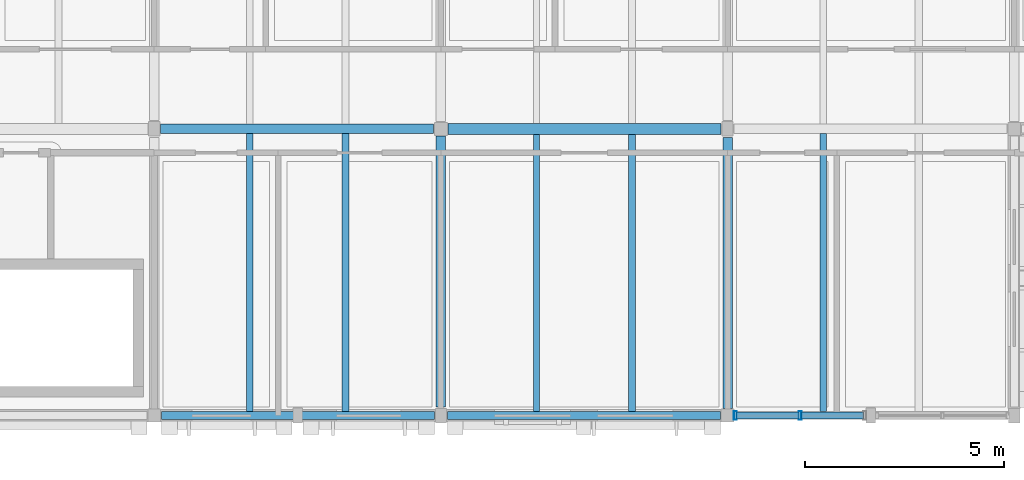
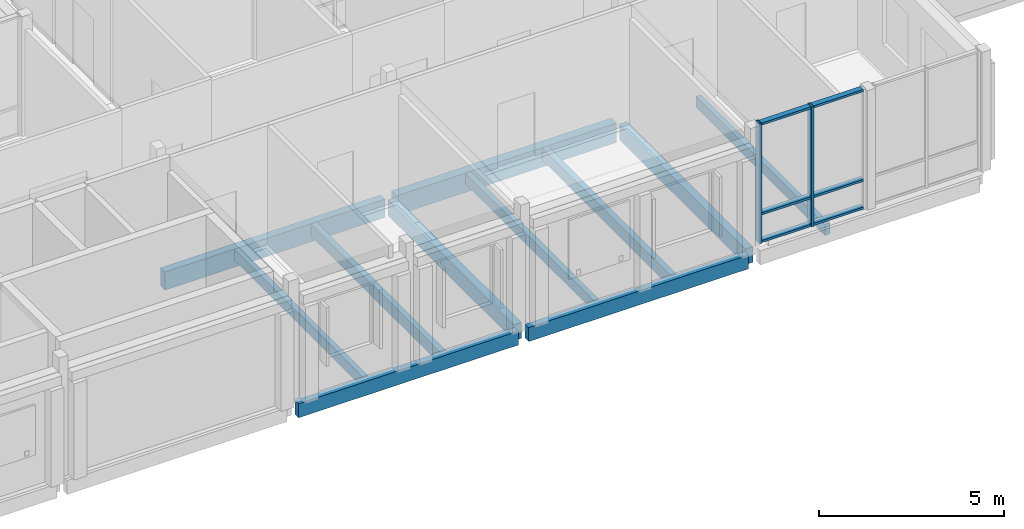
# One storey, part 6 of 115: 11 beams, 8 members, 1 element without a shape of its own.
"""IFC4 building model written with IfcOpenShell, lengths in metres."""

from ifc_helpers import new_model, si_unit, direction, frame, origin, origin_2d, place, context, subcontext, project, spatial, rectangle, hollow_rectangle, extrude, material, material_profile, profile_set, type_object, element, aggregate, save


model = new_model("IFC4")

# Units and contexts
model_context = context("Model", 3, precision=1e-05, world=origin(), true_north=direction((0.0, 1.0)))
body_context = subcontext(model_context, "Body", "Model", "MODEL_VIEW")
ifc_project = project(units=[si_unit("LENGTHUNIT", "METRE"), si_unit("AREAUNIT", "SQUARE_METRE"), si_unit("VOLUMEUNIT", "CUBIC_METRE"), si_unit("PLANEANGLEUNIT", "RADIAN"), si_unit("MASSUNIT", "GRAM", prefix="KILO")], contexts=[model_context])

# Site, building, storey
site_placement = place(None, origin())
site = spatial("IfcSite", under=ifc_project, at=site_placement, CompositionType="ELEMENT")
building_placement = place(site_placement, origin())
building = spatial("IfcBuilding", under=site, at=building_placement, Name="Hawrajan Terrace Health Centre", CompositionType="ELEMENT")
storey_placement = place(building_placement, frame((0.0, 0.0, 9.0)))
storey = spatial("IfcBuildingStorey", under=building, at=storey_placement, Name="L02", CompositionType="ELEMENT", Elevation=9.0)

# Curtain wall, members
ifc_material_1 = material(Name="Anodized bronze aluminium and low-E solar glazing", Category="aluminium")
curtain_wall_type = type_object("IfcCurtainWallType", Name="CW_Court_SeriesA2", PredefinedType="USERDEFINED", material=ifc_material_1)
curtain_wall_placement = place(storey_placement, origin())
curtain_wall = element("IfcCurtainWall", 1, at=curtain_wall_placement, inside=storey, type_object=curtain_wall_type, Name="Curtain wall CW-L02-122", ObjectType="UNITISED CURTAIN WALL", PredefinedType="USERDEFINED")
ifc_material_2 = material(Name="Anodized bronze aluminium 6063-T6", Category="aluminium")
ifc_material_profile_1 = material_profile(ifc_material_2, hollow_rectangle(XDim=0.074951171875, YDim=0.219970703125, WallThickness=0.0048828125, at=origin_2d()), Name="CW MUL 75x220")
ifc_profile_set_1 = profile_set([ifc_material_profile_1], Name="Anodized bronze aluminium 6063-T6")
member_type_1 = type_object("IfcMemberType", Name="CWMullion_75x220", PredefinedType="MULLION", material=ifc_profile_set_1)
member_1_placement = place(storey_placement, frame((33.597412109375, 4.199951171875, -0.0048828125), z_axis=(0.0, 0.0, 1.0), x_axis=(1.0, 0.0, 0.0)))
member_1 = element("IfcMember", 2, at=member_1_placement, type_object=member_type_1, Name="Mullion CW-L02-122-M1", PredefinedType="MULLION", context=body_context, shape_type="SweptSolid", body=[
    extrude(hollow_rectangle(XDim=0.074951171875, YDim=0.219970703125, WallThickness=0.0048828125, at=origin_2d()), origin(), (0.0, 0.0, 1.0), 3.9599609375),
])
member_2_placement = place(storey_placement, frame((35.219970703125, 4.199951171875, -0.0048828125), z_axis=(0.0, 0.0, 1.0), x_axis=(1.0, 0.0, 0.0)))
member_2 = element("IfcMember", 3, at=member_2_placement, type_object=member_type_1, Name="Mullion CW-L02-122-M2", PredefinedType="MULLION", context=body_context, shape_type="SweptSolid", body=[
    extrude(hollow_rectangle(XDim=0.074951171875, YDim=0.219970703125, WallThickness=0.0048828125, at=origin_2d()), origin(), (0.0, 0.0, 1.0), 3.9599609375),
])
ifc_material_profile_2 = material_profile(ifc_material_2, hollow_rectangle(XDim=0.074951171875, YDim=0.169921875, WallThickness=0.00439453125, at=origin_2d()), Name="CW TRN 75x170")
ifc_profile_set_2 = profile_set([ifc_material_profile_2], Name="Anodized bronze aluminium 6063-T6")
member_type_2 = type_object("IfcMemberType", Name="CWTransom_75x170", PredefinedType="USERDEFINED", material=ifc_profile_set_2)
member_3_placement = place(storey_placement, frame((33.62890625, 4.199951171875, 0.03759765625), z_axis=(1.0, 0.0, 0.0), x_axis=(0.0, 0.0, 1.0)))
member_3 = element("IfcMember", 4, at=member_3_placement, type_object=member_type_2, Name="Transom CW-L02-122-T1-1", ObjectType="TRANSOM", PredefinedType="USERDEFINED", context=body_context, shape_type="SweptSolid", body=[
    extrude(hollow_rectangle(XDim=0.074951171875, YDim=0.169921875, WallThickness=0.00439453125, at=origin_2d()), origin(), (0.0, 0.0, 1.0), 1.5595703125),
])
member_4_placement = place(storey_placement, frame((33.62890625, 4.199951171875, 0.949951171875), z_axis=(1.0, 0.0, 0.0), x_axis=(0.0, 0.0, 1.0)))
member_4 = element("IfcMember", 5, at=member_4_placement, type_object=member_type_2, Name="Transom CW-L02-122-T1-2", ObjectType="TRANSOM", PredefinedType="USERDEFINED", context=body_context, shape_type="SweptSolid", body=[
    extrude(hollow_rectangle(XDim=0.074951171875, YDim=0.169921875, WallThickness=0.00439453125, at=origin_2d()), origin(), (0.0, 0.0, 1.0), 1.5595703125),
])
member_5_placement = place(storey_placement, frame((33.62890625, 4.199951171875, 3.91259765625), z_axis=(1.0, 0.0, 0.0), x_axis=(0.0, 0.0, 1.0)))
member_5 = element("IfcMember", 6, at=member_5_placement, type_object=member_type_2, Name="Transom CW-L02-122-T1-3", ObjectType="TRANSOM", PredefinedType="USERDEFINED", context=body_context, shape_type="SweptSolid", body=[
    extrude(hollow_rectangle(XDim=0.074951171875, YDim=0.169921875, WallThickness=0.00439453125, at=origin_2d()), origin(), (0.0, 0.0, 1.0), 1.5595703125),
])
member_6_placement = place(storey_placement, frame((35.25146484375, 4.199951171875, 0.03759765625), z_axis=(1.0, 0.0, 0.0), x_axis=(0.0, 0.0, 1.0)))
member_6 = element("IfcMember", 7, at=member_6_placement, type_object=member_type_2, Name="Transom CW-L02-122-T2-1", ObjectType="TRANSOM", PredefinedType="USERDEFINED", context=body_context, shape_type="SweptSolid", body=[
    extrude(hollow_rectangle(XDim=0.074951171875, YDim=0.169921875, WallThickness=0.00439453125, at=origin_2d()), origin(), (0.0, 0.0, 1.0), 1.5595703125),
])
member_7_placement = place(storey_placement, frame((35.25146484375, 4.199951171875, 0.949951171875), z_axis=(1.0, 0.0, 0.0), x_axis=(0.0, 0.0, 1.0)))
member_7 = element("IfcMember", 8, at=member_7_placement, type_object=member_type_2, Name="Transom CW-L02-122-T2-2", ObjectType="TRANSOM", PredefinedType="USERDEFINED", context=body_context, shape_type="SweptSolid", body=[
    extrude(hollow_rectangle(XDim=0.074951171875, YDim=0.169921875, WallThickness=0.00439453125, at=origin_2d()), origin(), (0.0, 0.0, 1.0), 1.5595703125),
])
member_8_placement = place(storey_placement, frame((35.25146484375, 4.199951171875, 3.91259765625), z_axis=(1.0, 0.0, 0.0), x_axis=(0.0, 0.0, 1.0)))
member_8 = element("IfcMember", 9, at=member_8_placement, type_object=member_type_2, Name="Transom CW-L02-122-T2-3", ObjectType="TRANSOM", PredefinedType="USERDEFINED", context=body_context, shape_type="SweptSolid", body=[
    extrude(hollow_rectangle(XDim=0.074951171875, YDim=0.169921875, WallThickness=0.00439453125, at=origin_2d()), origin(), (0.0, 0.0, 1.0), 1.5595703125),
])
aggregate(curtain_wall, [member_1, member_2, member_3, member_4, member_5, member_6, member_7, member_8])

# Beams
ifc_material_3 = material(Name="Glulam GL32h", Category="wood")
ifc_material_profile_3 = material_profile(ifc_material_3, rectangle(XDim=0.239990234375, YDim=0.52001953125, at=origin_2d()), Name="GL BM 240x520")
ifc_profile_set_3 = profile_set([ifc_material_profile_3], Name="Glulam GL32h")
beam_type_1 = type_object("IfcBeamType", Name="GlulamGirder_240x520", PredefinedType="BEAM", material=ifc_profile_set_3)
for number, where, z_axis, x_axis, name in (
    (10, (26.199951171875, 4.409912109375, -0.5), (0.0, 1.0, 0.0), (-1.0, 0.0, 0.0), "Beam BM-Y-L02-W-X04-1"),
    (11, (33.39990234375, 4.3798828125, -0.5), (0.0, 1.0, 0.0), (-1.0, 0.0, 0.0), "Beam BM-Y-L02-W-X05-1"),
):
    element("IfcBeam", number, at=place(storey_placement, frame(where, z_axis=z_axis, x_axis=x_axis)), inside=storey, type_object=beam_type_1, Name=name, PredefinedType="BEAM", context=body_context, shape_type="SweptSolid", body=[
        extrude(rectangle(XDim=0.239990234375, YDim=0.52001953125, at=origin_2d()), origin(), (0.0, 0.0, 1.0), 6.81005859375),
    ])
ifc_material_profile_4 = material_profile(ifc_material_3, rectangle(XDim=0.239990234375, YDim=0.60009765625, at=origin_2d()), Name="GL BM 240x600")
ifc_profile_set_4 = profile_set([ifc_material_profile_4], Name="Glulam GL32h")
beam_type_2 = type_object("IfcBeamType", Name="GlulamGirder_240x600", PredefinedType="BEAM", material=ifc_profile_set_4)
beam_1_placement = place(storey_placement, frame((19.159912109375, 11.39990234375, -0.5400390625), z_axis=(1.0, 0.0, 0.0), x_axis=(0.0, 1.0, 0.0)))
element("IfcBeam", 12, at=beam_1_placement, inside=storey, type_object=beam_type_2, Name="Beam BM-X-L02-W-03-Y2", PredefinedType="BEAM", context=body_context, shape_type="SweptSolid", body=[
    extrude(rectangle(XDim=0.239990234375, YDim=0.60009765625, at=origin_2d()), origin(), (0.0, 0.0, 1.0), 6.860107421875),
])
ifc_material_profile_5 = material_profile(ifc_material_3, rectangle(XDim=0.280029296875, YDim=0.639892578125, at=origin_2d()), Name="GL BM 280x640")
ifc_profile_set_5 = profile_set([ifc_material_profile_5], Name="Glulam GL32h")
beam_type_3 = type_object("IfcBeamType", Name="GlulamGirder_280x640", PredefinedType="BEAM", material=ifc_profile_set_5)
beam_2_placement = place(storey_placement, frame((26.3798828125, 11.39990234375, -0.56005859375), z_axis=(1.0, 0.0, 0.0), x_axis=(0.0, 1.0, 0.0)))
element("IfcBeam", 13, at=beam_2_placement, inside=storey, type_object=beam_type_3, Name="Beam BM-X-L02-W-04-Y2", PredefinedType="BEAM", context=body_context, shape_type="SweptSolid", body=[
    extrude(rectangle(XDim=0.280029296875, YDim=0.639892578125, at=origin_2d()), origin(), (0.0, 0.0, 1.0), 6.860107421875),
])
ifc_material_4 = material(Name="Glulam GL28h", Category="wood")
ifc_material_profile_6 = material_profile(ifc_material_4, rectangle(XDim=0.159912109375, YDim=0.360107421875, at=origin_2d()), Name="GL JST 160x360")
ifc_profile_set_6 = profile_set([ifc_material_profile_6], Name="Glulam GL28h")
beam_type_4 = type_object("IfcBeamType", Name="GlulamJoist_160x360", PredefinedType="JOIST", material=ifc_profile_set_6)
beam_3_placement = place(storey_placement, frame((21.39990234375, 4.300048828125, -0.419921875), z_axis=(0.0, 1.0, 0.0), x_axis=(-1.0, 0.0, 0.0)))
element("IfcBeam", 14, at=beam_3_placement, inside=storey, type_object=beam_type_4, Name="Secondary joist JST-L02-W-03-1-1", PredefinedType="JOIST", context=body_context, shape_type="SweptSolid", body=[
    extrude(rectangle(XDim=0.159912109375, YDim=0.360107421875, at=origin_2d()), origin(), (0.0, 0.0, 1.0), 6.97998046875),
])
beam_4_placement = place(storey_placement, frame((28.60009765625, 4.300048828125, -0.419921875), z_axis=(0.0, 1.0, 0.0), x_axis=(-1.0, 0.0, 0.0)))
element("IfcBeam", 15, at=beam_4_placement, inside=storey, type_object=beam_type_4, Name="Secondary joist JST-L02-W-04-1-1", PredefinedType="JOIST", context=body_context, shape_type="SweptSolid", body=[
    extrude(rectangle(XDim=0.159912109375, YDim=0.360107421875, at=origin_2d()), origin(), (0.0, 0.0, 1.0), 6.9599609375),
])
beam_5_placement = place(storey_placement, frame((35.800048828125, 4.300048828125, -0.419921875), z_axis=(0.0, 1.0, 0.0), x_axis=(-1.0, 0.0, 0.0)))
element("IfcBeam", 16, at=beam_5_placement, inside=storey, type_object=beam_type_4, Name="Secondary joist JST-L02-W-05-1-1", PredefinedType="JOIST", context=body_context, shape_type="SweptSolid", body=[
    extrude(rectangle(XDim=0.159912109375, YDim=0.360107421875, at=origin_2d()), origin(), (0.0, 0.0, 1.0), 6.97998046875),
])
ifc_material_profile_7 = material_profile(ifc_material_4, rectangle(XDim=0.179931640625, YDim=0.39990234375, at=origin_2d()), Name="GL JST 180x400")
ifc_profile_set_7 = profile_set([ifc_material_profile_7], Name="Glulam GL28h")
beam_type_5 = type_object("IfcBeamType", Name="GlulamJoist_180x400", PredefinedType="JOIST", material=ifc_profile_set_7)
beam_6_placement = place(storey_placement, frame((23.800048828125, 4.300048828125, -0.43994140625), z_axis=(0.0, 1.0, 0.0), x_axis=(-1.0, 0.0, 0.0)))
element("IfcBeam", 17, at=beam_6_placement, inside=storey, type_object=beam_type_5, Name="Secondary joist JST-L02-W-03-1-2", PredefinedType="JOIST", context=body_context, shape_type="SweptSolid", body=[
    extrude(rectangle(XDim=0.179931640625, YDim=0.39990234375, at=origin_2d()), origin(), (0.0, 0.0, 1.0), 6.97998046875),
])
beam_7_placement = place(storey_placement, frame((31.0, 4.300048828125, -0.43994140625), z_axis=(0.0, 1.0, 0.0), x_axis=(-1.0, 0.0, 0.0)))
element("IfcBeam", 18, at=beam_7_placement, inside=storey, type_object=beam_type_5, Name="Secondary joist JST-L02-W-04-1-2", PredefinedType="JOIST", context=body_context, shape_type="SweptSolid", body=[
    extrude(rectangle(XDim=0.179931640625, YDim=0.39990234375, at=origin_2d()), origin(), (0.0, 0.0, 1.0), 6.9599609375),
])
ifc_material_profile_8 = material_profile(ifc_material_3, rectangle(XDim=0.199951171875, YDim=0.4599609375, at=origin_2d()), Name="GL SP 200x460")
ifc_profile_set_8 = profile_set([ifc_material_profile_8], Name="Glulam GL32h")
beam_type_6 = type_object("IfcBeamType", Name="GlulamSpandrel_200x460", PredefinedType="SPANDREL", material=ifc_profile_set_8)
beam_8_placement = place(storey_placement, frame((19.179931640625, 4.199951171875, -0.469970703125), z_axis=(1.0, 0.0, 0.0), x_axis=(0.0, 1.0, 0.0)))
element("IfcBeam", 19, at=beam_8_placement, inside=storey, type_object=beam_type_6, Name="Beam BM-X-L02-W-03-Y1", PredefinedType="SPANDREL", context=body_context, shape_type="SweptSolid", body=[
    extrude(rectangle(XDim=0.199951171875, YDim=0.4599609375, at=origin_2d()), origin(), (0.0, 0.0, 1.0), 6.860107421875),
])
beam_9_placement = place(storey_placement, frame((26.360107421875, 4.199951171875, -0.469970703125), z_axis=(1.0, 0.0, 0.0), x_axis=(0.0, 1.0, 0.0)))
element("IfcBeam", 20, at=beam_9_placement, inside=storey, type_object=beam_type_6, Name="Beam BM-X-L02-W-04-Y1", PredefinedType="SPANDREL", context=body_context, shape_type="SweptSolid", body=[
    extrude(rectangle(XDim=0.199951171875, YDim=0.4599609375, at=origin_2d()), origin(), (0.0, 0.0, 1.0), 6.85986328125),
])

save(model, "model.ifc")
